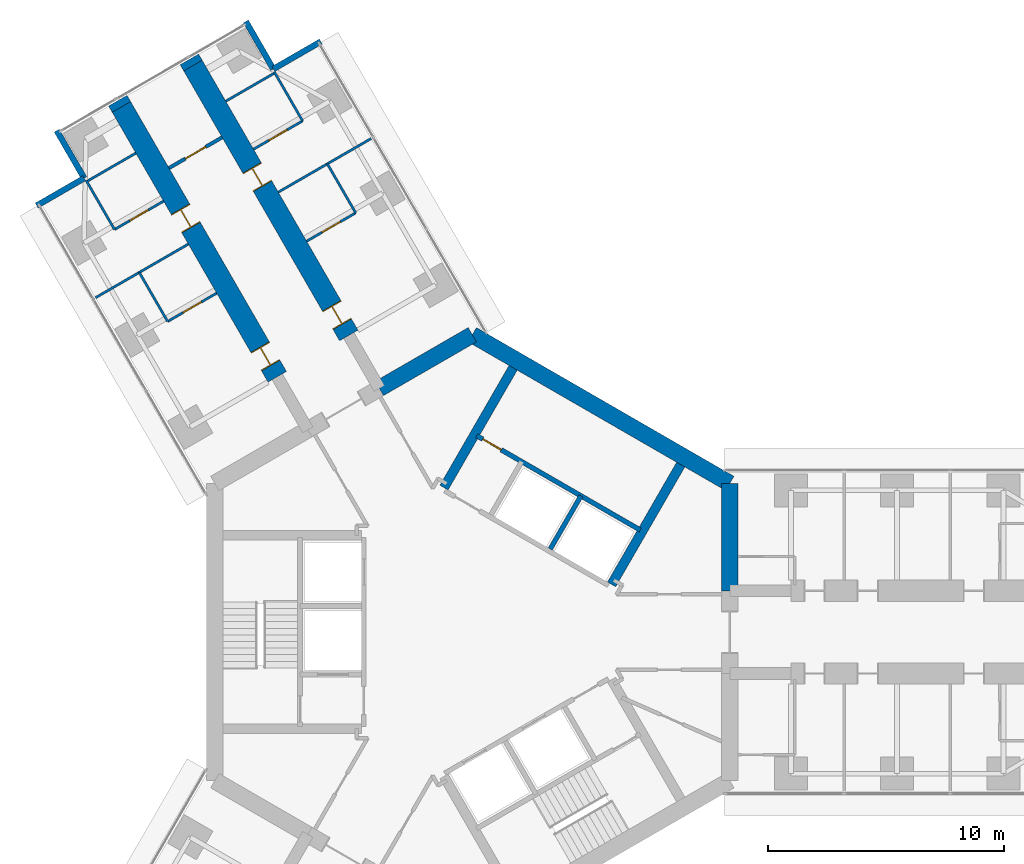
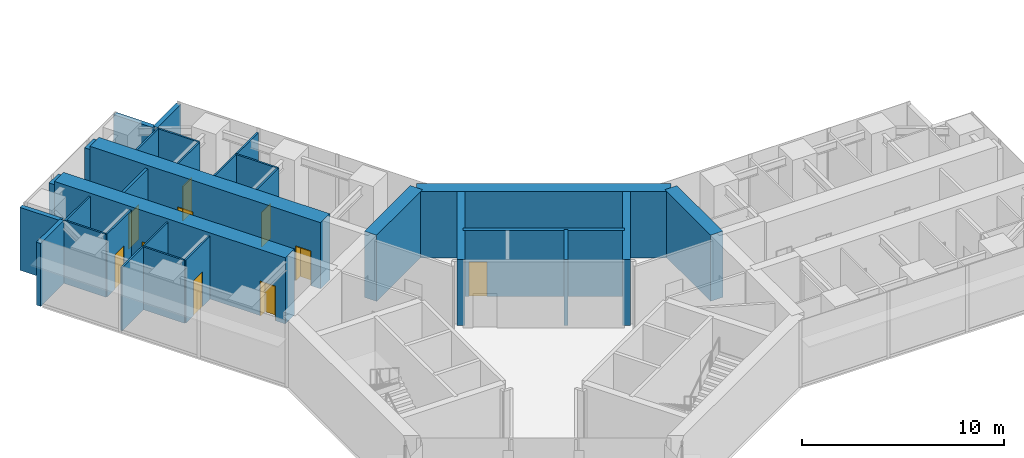
# One storey, part 19 of 25: 28 walls, 10 doors, 10 openings.
"""IFC4 building model written with IfcOpenShell, lengths in metres."""

from ifc_helpers import new_model, si_unit, direction, frame, frame_2d, origin, place, context, subcontext, project, spatial, rectangle, extrude, material, layer, layer_set, type_object, element, fill, save


model = new_model("IFC4")

# Units and contexts
model_context = context("Model", 3, precision=1e-05, world=origin(), true_north=direction((0.0, 1.0)))
body_context = subcontext(model_context, "Body", "Model", "MODEL_VIEW")
ifc_project = project(units=[si_unit("LENGTHUNIT", "METRE"), si_unit("AREAUNIT", "SQUARE_METRE"), si_unit("VOLUMEUNIT", "CUBIC_METRE"), si_unit("PLANEANGLEUNIT", "RADIAN"), si_unit("MASSUNIT", "GRAM", prefix="KILO")], contexts=[model_context])

# Site, building, storey
site_placement = place(None, origin())
site = spatial("IfcSite", under=ifc_project, at=site_placement, CompositionType="ELEMENT")
building_placement = place(site_placement, origin())
building = spatial("IfcBuilding", under=site, at=building_placement, Name="Upepo Twin Towers", CompositionType="ELEMENT")
storey_placement = place(building_placement, frame((0.0, 0.0, 72.5)))
storey = spatial("IfcBuildingStorey", under=building, at=storey_placement, Name="L17", CompositionType="ELEMENT", Elevation=72.5)

# Walls
ifc_material_1 = material(Name="Dense concrete blockwork", Category="masonry")
ifc_layer_1 = layer(ifc_material_1, 0.89990234375)
ifc_layer_set_1 = layer_set([ifc_layer_1], Name="Buttress closer 900, blockwork with fire-stopping to the curtain wall")
wall_type_1 = type_object("IfcWallType", Name="Buttress closer 900, blockwork with fire-stopping to the curtain wall", PredefinedType="PARTITIONING", material=ifc_layer_set_1)
for number, where, z_axis, x_axis, name in (
    (1, (-14.865478515625, 22.247802734375, 0.0), (0.0, 0.0, 1.0), (-0.499949632511, 0.866054481515, 0.0), "T1 L17 wing B buttress closer L"),
    (2, (-11.83447265625, 23.997802734375, 0.0), (0.0, 0.0, 1.0), (-0.499949632511, 0.866054481515, 0.0), "T1 L17 wing B buttress closer R"),
):
    element("IfcWall", number, at=place(storey_placement, frame(where, z_axis=z_axis, x_axis=x_axis)), inside=storey, type_object=wall_type_1, Name=name, PredefinedType="PARTITIONING", context=body_context, shape_type="SweptSolid", body=[
        extrude(rectangle(XDim=0.31005859375, YDim=0.89990234375, at=frame_2d((0.155029296875, 0.0))), origin(), (0.0, 0.0, 1.0), 3.800048828125),
    ])

# Wall, openings, doors
ifc_material_2 = material(Name="Concrete C60/75", Category="concrete")
ifc_layer_2 = layer(ifc_material_2, 0.89990234375)
ifc_layer_set_2 = layer_set([ifc_layer_2], Name="Concrete C60/75")
wall_type_2 = type_object("IfcWallType", Name="Buttress wall 900 RC", PredefinedType="SHEAR", material=ifc_layer_set_2)
wall_1_placement = place(storey_placement, frame((-8.265625, 10.81640625, 0.0), z_axis=(0.0, 0.0, 1.0), x_axis=(-0.499996231654, 0.866027579429, 0.0)))
wall_1 = element("IfcWall", 3, at=wall_1_placement, inside=storey, type_object=wall_type_2, Name="T1 wing B buttress wall L part 2", PredefinedType="SHEAR", context=body_context, shape_type="SweptSolid", body=[
    extrude(rectangle(XDim=13.19970703125, YDim=0.89990234375, at=frame_2d((6.599853515625, 0.0))), origin(), (0.0, 0.0, 1.0), 4.0),
])
opening_1_placement = place(wall_1_placement, frame((0.550048828125, 0.0, 0.0)))
opening_1 = element("IfcOpeningElement", 4, at=opening_1_placement, cuts=wall_1, Name="Opening D14", PredefinedType="OPENING", context=body_context, shape_type="SweptSolid", body=[
    extrude(rectangle(XDim=0.89990234375, YDim=2.10009765625, at=frame_2d((0.449951171875, 1.050048828125))), frame((0.0, 0.4599609375, 0.0), z_axis=(0.0, -1.0, 0.0), x_axis=(1.0, 0.0, 0.0)), (0.0, 0.0, 1.0), 0.919921875),
])
opening_2_placement = place(wall_1_placement, frame((7.300048828125, 0.0, 0.0)))
opening_2 = element("IfcOpeningElement", 5, at=opening_2_placement, cuts=wall_1, Name="Opening D14", PredefinedType="OPENING", context=body_context, shape_type="SweptSolid", body=[
    extrude(rectangle(XDim=0.89990234375, YDim=2.10009765625, at=frame_2d((0.449951171875, 1.050048828125))), frame((0.0, 0.4599609375, 0.0), z_axis=(0.0, -1.0, 0.0), x_axis=(1.0, 0.0, 0.0)), (0.0, 0.0, 1.0), 0.919921875),
])
ifc_material_3 = material(Name="Timber doorset", Category="wood")
door_type_1 = type_object("IfcDoorType", Name="Office door 900 FD30", OperationType="SINGLE_SWING_LEFT", PredefinedType="DOOR", material=ifc_material_3)
door_1_placement = place(opening_1_placement, origin())
door_1 = element("IfcDoor", 6, at=door_1_placement, inside=storey, type_object=door_type_1, Name="T1 L17 open-plan staff office door", OperationType="SINGLE_SWING_LEFT", OverallHeight=2.10009765625, OverallWidth=0.89990234375, PredefinedType="DOOR", context=body_context, shape_type="SweptSolid", body=[
    extrude(rectangle(XDim=0.81990234375, YDim=2.06009765625, at=frame_2d((0.449951171875, 1.030029296875))), frame((0.0, 0.02490234375, 0.0), z_axis=(0.0, -1.0, 0.0), x_axis=(1.0, 0.0, 0.0)), (0.0, 0.0, 1.0), 0.050048828125),
    extrude(rectangle(XDim=0.04, YDim=2.10009765625, at=frame_2d((0.02001953125, 1.050048828125))), frame((0.0, 0.44970703125, 0.0), z_axis=(0.0, -1.0, 0.0), x_axis=(1.0, 0.0, 0.0)), (0.0, 0.0, 1.0), 0.8994140625),
    extrude(rectangle(XDim=0.04, YDim=2.10009765625, at=frame_2d((0.8798828125, 1.050048828125))), frame((0.0, 0.44970703125, 0.0), z_axis=(0.0, -1.0, 0.0), x_axis=(1.0, 0.0, 0.0)), (0.0, 0.0, 1.0), 0.8994140625),
    extrude(rectangle(XDim=0.81990234375, YDim=0.04, at=frame_2d((0.449951171875, 2.080078125))), frame((0.0, 0.44970703125, 0.0), z_axis=(0.0, -1.0, 0.0), x_axis=(1.0, 0.0, 0.0)), (0.0, 0.0, 1.0), 0.8994140625),
])
fill(opening_1, door_1)
door_2_placement = place(opening_2_placement, origin())
door_2 = element("IfcDoor", 7, at=door_2_placement, inside=storey, type_object=door_type_1, Name="T1 L17 staff office door", OperationType="SINGLE_SWING_RIGHT", OverallHeight=2.10009765625, OverallWidth=0.89990234375, PredefinedType="DOOR", context=body_context, shape_type="SweptSolid", body=[
    extrude(rectangle(XDim=0.81990234375, YDim=2.06009765625, at=frame_2d((0.449951171875, 1.030029296875))), frame((0.0, 0.02490234375, 0.0), z_axis=(0.0, -1.0, 0.0), x_axis=(1.0, 0.0, 0.0)), (0.0, 0.0, 1.0), 0.050048828125),
    extrude(rectangle(XDim=0.04, YDim=2.10009765625, at=frame_2d((0.02001953125, 1.050048828125))), frame((0.0, 0.44970703125, 0.0), z_axis=(0.0, -1.0, 0.0), x_axis=(1.0, 0.0, 0.0)), (0.0, 0.0, 1.0), 0.8994140625),
    extrude(rectangle(XDim=0.04, YDim=2.10009765625, at=frame_2d((0.8798828125, 1.050048828125))), frame((0.0, 0.44970703125, 0.0), z_axis=(0.0, -1.0, 0.0), x_axis=(1.0, 0.0, 0.0)), (0.0, 0.0, 1.0), 0.8994140625),
    extrude(rectangle(XDim=0.81990234375, YDim=0.04, at=frame_2d((0.449951171875, 2.080078125))), frame((0.0, 0.44970703125, 0.0), z_axis=(0.0, -1.0, 0.0), x_axis=(1.0, 0.0, 0.0)), (0.0, 0.0, 1.0), 0.8994140625),
])
fill(opening_2, door_2)

wall_2_placement = place(storey_placement, frame((-5.234375, 12.56640625, 0.0), z_axis=(0.0, 0.0, 1.0), x_axis=(-0.500010103361, 0.866019570528, 0.0)))
wall_2 = element("IfcWall", 8, at=wall_2_placement, inside=storey, type_object=wall_type_2, Name="T1 wing B buttress wall R part 2", PredefinedType="SHEAR", context=body_context, shape_type="SweptSolid", body=[
    extrude(rectangle(XDim=13.199951171875, YDim=0.89990234375, at=frame_2d((6.60009765625, 0.0))), origin(), (0.0, 0.0, 1.0), 4.0),
])
opening_3_placement = place(wall_2_placement, frame((0.550048828125, 0.0, 0.0)))
opening_3 = element("IfcOpeningElement", 9, at=opening_3_placement, cuts=wall_2, Name="Opening D14", PredefinedType="OPENING", context=body_context, shape_type="SweptSolid", body=[
    extrude(rectangle(XDim=0.89990234375, YDim=2.10009765625, at=frame_2d((0.449951171875, 1.050048828125))), frame((0.0, 0.4599609375, 0.0), z_axis=(0.0, -1.0, 0.0), x_axis=(1.0, 0.0, 0.0)), (0.0, 0.0, 1.0), 0.919921875),
])
opening_4_placement = place(wall_2_placement, frame((7.300048828125, 0.0, 0.0)))
opening_4 = element("IfcOpeningElement", 10, at=opening_4_placement, cuts=wall_2, Name="Opening D14", PredefinedType="OPENING", context=body_context, shape_type="SweptSolid", body=[
    extrude(rectangle(XDim=0.89990234375, YDim=2.10009765625, at=frame_2d((0.449951171875, 1.050048828125))), frame((0.0, 0.4599609375, 0.0), z_axis=(0.0, -1.0, 0.0), x_axis=(1.0, 0.0, 0.0)), (0.0, 0.0, 1.0), 0.919921875),
])
door_3_placement = place(opening_3_placement, origin())
door_3 = element("IfcDoor", 11, at=door_3_placement, inside=storey, type_object=door_type_1, Name="T1 L17 open-plan staff office door", OperationType="SINGLE_SWING_LEFT", OverallHeight=2.10009765625, OverallWidth=0.89990234375, PredefinedType="DOOR", context=body_context, shape_type="SweptSolid", body=[
    extrude(rectangle(XDim=0.81990234375, YDim=2.06009765625, at=frame_2d((0.449951171875, 1.030029296875))), frame((0.0, 0.02490234375, 0.0), z_axis=(0.0, -1.0, 0.0), x_axis=(1.0, 0.0, 0.0)), (0.0, 0.0, 1.0), 0.050048828125),
    extrude(rectangle(XDim=0.04, YDim=2.10009765625, at=frame_2d((0.02001953125, 1.050048828125))), frame((0.0, 0.44970703125, 0.0), z_axis=(0.0, -1.0, 0.0), x_axis=(1.0, 0.0, 0.0)), (0.0, 0.0, 1.0), 0.8994140625),
    extrude(rectangle(XDim=0.04, YDim=2.10009765625, at=frame_2d((0.8798828125, 1.050048828125))), frame((0.0, 0.44970703125, 0.0), z_axis=(0.0, -1.0, 0.0), x_axis=(1.0, 0.0, 0.0)), (0.0, 0.0, 1.0), 0.8994140625),
    extrude(rectangle(XDim=0.81990234375, YDim=0.04, at=frame_2d((0.449951171875, 2.080078125))), frame((0.0, 0.44970703125, 0.0), z_axis=(0.0, -1.0, 0.0), x_axis=(1.0, 0.0, 0.0)), (0.0, 0.0, 1.0), 0.8994140625),
])
fill(opening_3, door_3)
door_4_placement = place(opening_4_placement, origin())
door_4 = element("IfcDoor", 12, at=door_4_placement, inside=storey, type_object=door_type_1, Name="T1 L17 postgraduate office door", OperationType="SINGLE_SWING_RIGHT", OverallHeight=2.10009765625, OverallWidth=0.89990234375, PredefinedType="DOOR", context=body_context, shape_type="SweptSolid", body=[
    extrude(rectangle(XDim=0.81990234375, YDim=2.06009765625, at=frame_2d((0.449951171875, 1.030029296875))), frame((0.0, 0.02490234375, 0.0), z_axis=(0.0, -1.0, 0.0), x_axis=(1.0, 0.0, 0.0)), (0.0, 0.0, 1.0), 0.050048828125),
    extrude(rectangle(XDim=0.04, YDim=2.10009765625, at=frame_2d((0.02001953125, 1.050048828125))), frame((0.0, 0.44970703125, 0.0), z_axis=(0.0, -1.0, 0.0), x_axis=(1.0, 0.0, 0.0)), (0.0, 0.0, 1.0), 0.8994140625),
    extrude(rectangle(XDim=0.04, YDim=2.10009765625, at=frame_2d((0.8798828125, 1.050048828125))), frame((0.0, 0.44970703125, 0.0), z_axis=(0.0, -1.0, 0.0), x_axis=(1.0, 0.0, 0.0)), (0.0, 0.0, 1.0), 0.8994140625),
    extrude(rectangle(XDim=0.81990234375, YDim=0.04, at=frame_2d((0.449951171875, 2.080078125))), frame((0.0, 0.44970703125, 0.0), z_axis=(0.0, -1.0, 0.0), x_axis=(1.0, 0.0, 0.0)), (0.0, 0.0, 1.0), 0.8994140625),
])
fill(opening_4, door_4)

# Walls
ifc_material_4 = material(Name="Concrete C60/75", Category="concrete")
ifc_layer_3 = layer(ifc_material_4, 0.699951171875)
ifc_layer_set_3 = layer_set([ifc_layer_3], Name="Concrete C60/75")
wall_type_3 = type_object("IfcWallType", Name="Core wall 700 RC", PredefinedType="SHEAR", material=ifc_layer_set_3)
wall_3_placement = place(storey_placement, frame((10.908447265625, 1.75, 0.0), z_axis=(0.0, 0.0, 1.0), x_axis=(0.0, 1.0, 0.0)))
element("IfcWall", 13, at=wall_3_placement, inside=storey, type_object=wall_type_3, Name="T1 core wall 000 L", PredefinedType="SHEAR", context=body_context, shape_type="SweptSolid", body=[
    extrude(rectangle(XDim=4.5478515625, YDim=0.699951171875, at=frame_2d((2.27392578125, 0.0))), origin(), (0.0, 0.0, 1.0), 4.0),
])
wall_4_placement = place(storey_placement, frame((10.908447265625, 6.2978515625, 0.0), z_axis=(0.0, 0.0, 1.0), x_axis=(-0.866021940709, 0.500005998175, 0.0)))
element("IfcWall", 14, at=wall_4_placement, inside=storey, type_object=wall_type_3, Name="T1 core wall 060", PredefinedType="SHEAR", context=body_context, shape_type="SweptSolid", body=[
    extrude(rectangle(XDim=12.595947265625, YDim=0.699951171875, at=frame_2d((6.2978515625, 0.0))), origin(), (0.0, 0.0, 1.0), 4.0),
])
wall_5_placement = place(storey_placement, frame((0.0, 12.595947265625, 0.0), z_axis=(0.0, 0.0, 1.0), x_axis=(-0.866011268655, -0.500024481964, 0.0)))
element("IfcWall", 15, at=wall_5_placement, inside=storey, type_object=wall_type_3, Name="T1 core wall 120 R", PredefinedType="SHEAR", context=body_context, shape_type="SweptSolid", body=[
    extrude(rectangle(XDim=4.548095703125, YDim=0.699951171875, at=frame_2d((2.27392578125, 0.0))), origin(), (0.0, 0.0, 1.0), 4.0),
])
ifc_material_5 = material(Name="Blockwork with anodised aluminium cladding", Category="masonry")
ifc_layer_4 = layer(ifc_material_5, 0.25)
ifc_layer_set_4 = layer_set([ifc_layer_4], Name="Notch cladding wall 250, pale metal")
wall_type_4 = type_object("IfcWallType", Name="Notch cladding wall 250, pale metal", PredefinedType="STANDARD", material=ifc_layer_set_4)
for number, where, z_axis, x_axis, name in (
    (16, (-18.456298828125, 18.0673828125, 0.0), (0.0, 0.0, 1.0), (0.865998469481, 0.500046648681, 0.0), "T1 L17 wing B notch wall L1"),
    (17, (-16.44287109375, 19.22998046875, 0.0), (0.0, 0.0, 1.0), (-0.500046648681, 0.865998469481, 0.0), "T1 L17 wing B notch wall L2"),
    (18, (-6.418701171875, 25.017333984375, 0.0), (0.0, 0.0, 1.0), (-0.866043940782, -0.499967891604, 0.0), "T1 L17 wing B notch wall R1"),
    (19, (-8.43212890625, 23.85498046875, 0.0), (0.0, 0.0, 1.0), (-0.500046648681, 0.865998469481, 0.0), "T1 L17 wing B notch wall R2"),
):
    element("IfcWall", number, at=place(storey_placement, frame(where, z_axis=z_axis, x_axis=x_axis)), inside=storey, type_object=wall_type_4, Name=name, PredefinedType="STANDARD", context=body_context, shape_type="SweptSolid", body=[
        extrude(rectangle(XDim=2.324951171875, YDim=0.25, at=frame_2d((1.16259765625, 0.0))), origin(), (0.0, 0.0, 1.0), 3.800048828125),
    ])
ifc_material_6 = material(Name="Gypsum board on steel studs", Category="steel")
ifc_layer_5 = layer(ifc_material_6, 0.10009765625)
ifc_layer_set_5 = layer_set([ifc_layer_5], Name="Office partition 100 stud")
wall_type_5 = type_object("IfcWallType", Name="Office partition 100 stud", PredefinedType="PARTITIONING", material=ifc_layer_set_5)
wall_6_placement = place(storey_placement, frame((-12.0302734375, 16.43701171875, 0.0), z_axis=(0.0, 0.0, 1.0), x_axis=(-0.866035472144, -0.499982560684, 0.0)))
element("IfcWall", 20, at=wall_6_placement, inside=storey, type_object=wall_type_5, Name="T1 partition BL at 20.25", PredefinedType="PARTITIONING", context=body_context, shape_type="SweptSolid", body=[
    extrude(rectangle(XDim=4.550048828125, YDim=0.10009765625, at=frame_2d((2.27490234375, 0.0))), origin(), (0.0, 0.0, 1.0), 3.800048828125),
])
wall_7_placement = place(storey_placement, frame((-12.90869140625, 13.158447265625, 0.0), z_axis=(0.0, 0.0, 1.0), x_axis=(-0.499957262057, 0.866050077142, 0.0)))
element("IfcWall", 21, at=wall_7_placement, inside=storey, type_object=wall_type_5, Name="T1 inner room partition BL at 17.85", PredefinedType="PARTITIONING", context=body_context, shape_type="SweptSolid", body=[
    extrude(rectangle(XDim=2.400146484375, YDim=0.10009765625, at=frame_2d((1.2001953125, 0.0))), origin(), (0.0, 0.0, 1.0), 3.800048828125),
])

# Wall, opening, door
wall_8_placement = place(storey_placement, frame((-10.830322265625, 14.358642578125, 0.0), z_axis=(0.0, 0.0, 1.0), x_axis=(-0.865980596518, -0.500077600433, 0.0)))
wall_8 = element("IfcWall", 22, at=wall_8_placement, inside=storey, type_object=wall_type_5, Name="T1 inner room partition BL end at 17.85", PredefinedType="PARTITIONING", context=body_context, shape_type="SweptSolid", body=[
    extrude(rectangle(XDim=2.39990234375, YDim=0.10009765625, at=frame_2d((1.199951171875, 0.0))), origin(), (0.0, 0.0, 1.0), 3.800048828125),
])
opening_5_placement = place(wall_8_placement, frame((0.75, 0.0, 0.0)))
opening_5 = element("IfcOpeningElement", 23, at=opening_5_placement, cuts=wall_8, Name="Opening D14", PredefinedType="OPENING", context=body_context, shape_type="SweptSolid", body=[
    extrude(rectangle(XDim=0.89990234375, YDim=2.10009765625, at=frame_2d((0.449951171875, 1.050048828125))), frame((0.0, 0.06005859375, 0.0), z_axis=(0.0, -1.0, 0.0), x_axis=(1.0, 0.0, 0.0)), (0.0, 0.0, 1.0), 0.1201171875),
])
door_5_placement = place(opening_5_placement, origin())
door_5 = element("IfcDoor", 24, at=door_5_placement, inside=storey, type_object=door_type_1, Name="T1 L17 inner room door", OperationType="SINGLE_SWING_LEFT", OverallHeight=2.10009765625, OverallWidth=0.89990234375, PredefinedType="DOOR", context=body_context, shape_type="SweptSolid", body=[
    extrude(rectangle(XDim=0.89990234375, YDim=2.10009765625, at=frame_2d((0.449951171875, 1.050048828125))), frame((0.0, 0.02490234375, 0.0), z_axis=(0.0, -1.0, 0.0), x_axis=(1.0, 0.0, 0.0)), (0.0, 0.0, 1.0), 0.050048828125),
])
fill(opening_5, door_5)

# Wall
wall_9_placement = place(storey_placement, frame((-15.15869140625, 17.0556640625, 0.0), z_axis=(0.0, 0.0, 1.0), x_axis=(-0.500001309137, 0.866024647952, 0.0)))
element("IfcWall", 25, at=wall_9_placement, inside=storey, type_object=wall_type_5, Name="T1 inner room partition BL at 22.35", PredefinedType="PARTITIONING", context=body_context, shape_type="SweptSolid", body=[
    extrude(rectangle(XDim=2.39990234375, YDim=0.10009765625, at=frame_2d((1.199951171875, 0.0))), origin(), (0.0, 0.0, 1.0), 3.800048828125),
])

# Wall, opening, door
wall_10_placement = place(storey_placement, frame((-13.080322265625, 18.255615234375, 0.0), z_axis=(0.0, 0.0, 1.0), x_axis=(-0.866024647952, -0.500001309137, 0.0)))
wall_10 = element("IfcWall", 26, at=wall_10_placement, inside=storey, type_object=wall_type_5, Name="T1 inner room partition BL end at 22.35", PredefinedType="PARTITIONING", context=body_context, shape_type="SweptSolid", body=[
    extrude(rectangle(XDim=2.39990234375, YDim=0.10009765625, at=frame_2d((1.199951171875, 0.0))), origin(), (0.0, 0.0, 1.0), 3.800048828125),
])
opening_6_placement = place(wall_10_placement, frame((0.75, 0.0, 0.0)))
opening_6 = element("IfcOpeningElement", 27, at=opening_6_placement, cuts=wall_10, Name="Opening D14", PredefinedType="OPENING", context=body_context, shape_type="SweptSolid", body=[
    extrude(rectangle(XDim=0.89990234375, YDim=2.10009765625, at=frame_2d((0.449951171875, 1.050048828125))), frame((0.0, 0.06005859375, 0.0), z_axis=(0.0, -1.0, 0.0), x_axis=(1.0, 0.0, 0.0)), (0.0, 0.0, 1.0), 0.1201171875),
])
door_6_placement = place(opening_6_placement, origin())
door_6 = element("IfcDoor", 28, at=door_6_placement, inside=storey, type_object=door_type_1, Name="T1 L17 inner room door", OperationType="SINGLE_SWING_LEFT", OverallHeight=2.10009765625, OverallWidth=0.89990234375, PredefinedType="DOOR", context=body_context, shape_type="SweptSolid", body=[
    extrude(rectangle(XDim=0.89990234375, YDim=2.10009765625, at=frame_2d((0.449951171875, 1.050048828125))), frame((0.0, 0.02490234375, 0.0), z_axis=(0.0, -1.0, 0.0), x_axis=(1.0, 0.0, 0.0)), (0.0, 0.0, 1.0), 0.050048828125),
])
fill(opening_6, door_6)

# Walls
wall_11_placement = place(storey_placement, frame((-14.25537109375, 20.290771484375, 0.0), z_axis=(0.0, 0.0, 1.0), x_axis=(-0.866024647952, -0.500001309137, 0.0)))
element("IfcWall", 29, at=wall_11_placement, inside=storey, type_object=wall_type_5, Name="T1 inner room partition BL end at 24.75", PredefinedType="PARTITIONING", context=body_context, shape_type="SweptSolid", body=[
    extrude(rectangle(XDim=2.39990234375, YDim=0.10009765625, at=frame_2d((1.199951171875, 0.0))), origin(), (0.0, 0.0, 1.0), 3.800048828125),
])
wall_12_placement = place(storey_placement, frame((-8.2197265625, 18.636962890625, 0.0), z_axis=(0.0, 0.0, 1.0), x_axis=(0.866012237902, 0.500022803284, 0.0)))
element("IfcWall", 30, at=wall_12_placement, inside=storey, type_object=wall_type_5, Name="T1 partition BR at 20.25", PredefinedType="PARTITIONING", context=body_context, shape_type="SweptSolid", body=[
    extrude(rectangle(XDim=4.550048828125, YDim=0.10009765625, at=frame_2d((2.27490234375, 0.0))), origin(), (0.0, 0.0, 1.0), 3.800048828125),
])
wall_13_placement = place(storey_placement, frame((-4.941162109375, 17.758544921875, 0.0), z_axis=(0.0, 0.0, 1.0), x_axis=(-0.500077600433, 0.865980596518, 0.0)))
element("IfcWall", 31, at=wall_13_placement, inside=storey, type_object=wall_type_5, Name="T1 inner room partition BR at 17.85", PredefinedType="PARTITIONING", context=body_context, shape_type="SweptSolid", body=[
    extrude(rectangle(XDim=2.39990234375, YDim=0.10009765625, at=frame_2d((1.199951171875, 0.0))), origin(), (0.0, 0.0, 1.0), 3.800048828125),
])

# Wall, opening, door
wall_14_placement = place(storey_placement, frame((-7.019775390625, 16.55859375, 0.0), z_axis=(0.0, 0.0, 1.0), x_axis=(0.866050077142, 0.499957262057, 0.0)))
wall_14 = element("IfcWall", 32, at=wall_14_placement, inside=storey, type_object=wall_type_5, Name="T1 inner room partition BR end at 17.85", PredefinedType="PARTITIONING", context=body_context, shape_type="SweptSolid", body=[
    extrude(rectangle(XDim=2.400146484375, YDim=0.10009765625, at=frame_2d((1.2001953125, 0.0))), origin(), (0.0, 0.0, 1.0), 3.800048828125),
])
opening_7_placement = place(wall_14_placement, frame((0.75, 0.0, 0.0)))
opening_7 = element("IfcOpeningElement", 33, at=opening_7_placement, cuts=wall_14, Name="Opening D14", PredefinedType="OPENING", context=body_context, shape_type="SweptSolid", body=[
    extrude(rectangle(XDim=0.89990234375, YDim=2.10009765625, at=frame_2d((0.449951171875, 1.050048828125))), frame((0.0, 0.06005859375, 0.0), z_axis=(0.0, -1.0, 0.0), x_axis=(1.0, 0.0, 0.0)), (0.0, 0.0, 1.0), 0.1201171875),
])
door_7_placement = place(opening_7_placement, origin())
door_7 = element("IfcDoor", 34, at=door_7_placement, inside=storey, type_object=door_type_1, Name="T1 L17 inner room door", OperationType="SINGLE_SWING_LEFT", OverallHeight=2.10009765625, OverallWidth=0.89990234375, PredefinedType="DOOR", context=body_context, shape_type="SweptSolid", body=[
    extrude(rectangle(XDim=0.89990234375, YDim=2.10009765625, at=frame_2d((0.449951171875, 1.050048828125))), frame((0.0, 0.02490234375, 0.0), z_axis=(0.0, -1.0, 0.0), x_axis=(1.0, 0.0, 0.0)), (0.0, 0.0, 1.0), 0.050048828125),
])
fill(opening_7, door_7)

# Wall
wall_15_placement = place(storey_placement, frame((-7.191162109375, 21.65576171875, 0.0), z_axis=(0.0, 0.0, 1.0), x_axis=(-0.500077600433, 0.865980596518, 0.0)))
element("IfcWall", 35, at=wall_15_placement, inside=storey, type_object=wall_type_5, Name="T1 inner room partition BR at 22.35", PredefinedType="PARTITIONING", context=body_context, shape_type="SweptSolid", body=[
    extrude(rectangle(XDim=2.39990234375, YDim=0.10009765625, at=frame_2d((1.199951171875, 0.0))), origin(), (0.0, 0.0, 1.0), 3.800048828125),
])

# Wall, opening, door
wall_16_placement = place(storey_placement, frame((-9.269775390625, 20.45556640625, 0.0), z_axis=(0.0, 0.0, 1.0), x_axis=(0.866006032174, 0.500033551112, 0.0)))
wall_16 = element("IfcWall", 36, at=wall_16_placement, inside=storey, type_object=wall_type_5, Name="T1 inner room partition BR end at 22.35", PredefinedType="PARTITIONING", context=body_context, shape_type="SweptSolid", body=[
    extrude(rectangle(XDim=2.400146484375, YDim=0.10009765625, at=frame_2d((1.2001953125, 0.0))), origin(), (0.0, 0.0, 1.0), 3.800048828125),
])
opening_8_placement = place(wall_16_placement, frame((0.75, 0.0, 0.0)))
opening_8 = element("IfcOpeningElement", 37, at=opening_8_placement, cuts=wall_16, Name="Opening D14", PredefinedType="OPENING", context=body_context, shape_type="SweptSolid", body=[
    extrude(rectangle(XDim=0.89990234375, YDim=2.10009765625, at=frame_2d((0.449951171875, 1.050048828125))), frame((0.0, 0.06005859375, 0.0), z_axis=(0.0, -1.0, 0.0), x_axis=(1.0, 0.0, 0.0)), (0.0, 0.0, 1.0), 0.1201171875),
])
door_8_placement = place(opening_8_placement, origin())
door_8 = element("IfcDoor", 38, at=door_8_placement, inside=storey, type_object=door_type_1, Name="T1 L17 inner room door", OperationType="SINGLE_SWING_LEFT", OverallHeight=2.10009765625, OverallWidth=0.89990234375, PredefinedType="DOOR", context=body_context, shape_type="SweptSolid", body=[
    extrude(rectangle(XDim=0.89990234375, YDim=2.10009765625, at=frame_2d((0.449951171875, 1.050048828125))), frame((0.0, 0.02490234375, 0.0), z_axis=(0.0, -1.0, 0.0), x_axis=(1.0, 0.0, 0.0)), (0.0, 0.0, 1.0), 0.050048828125),
])
fill(opening_8, door_8)

# Walls
wall_17_placement = place(storey_placement, frame((-10.44482421875, 22.49072265625, 0.0), z_axis=(0.0, 0.0, 1.0), x_axis=(0.866006032174, 0.500033551112, 0.0)))
element("IfcWall", 39, at=wall_17_placement, inside=storey, type_object=wall_type_5, Name="T1 inner room partition BR end at 24.75", PredefinedType="PARTITIONING", context=body_context, shape_type="SweptSolid", body=[
    extrude(rectangle(XDim=2.400146484375, YDim=0.10009765625, at=frame_2d((1.2001953125, 0.0))), origin(), (0.0, 0.0, 1.0), 3.800048828125),
])
ifc_material_7 = material(Name="Concrete C40/50", Category="concrete")
ifc_layer_6 = layer(ifc_material_7, 0.199951171875)
ifc_layer_set_6 = layer_set([ifc_layer_6], Name="Concrete C40/50")
wall_type_6 = type_object("IfcWallType", Name="Shaft wall 200 RC", PredefinedType="SHEAR", material=ifc_layer_set_6)
wall_18_placement = place(storey_placement, frame((3.302734375, 3.520263671875, 0.0), z_axis=(0.0, 0.0, 1.0), x_axis=(0.499936506574, 0.866062058628, 0.0)))
element("IfcWall", 40, at=wall_18_placement, inside=storey, type_object=wall_type_6, Name="T1 core W60 shaft divider", PredefinedType="SHEAR", context=body_context, shape_type="SweptSolid", body=[
    extrude(rectangle(XDim=2.599853515625, YDim=0.199951171875, at=frame_2d((1.2998046875, 0.0))), origin(), (0.0, 0.0, 1.0), 4.0),
])

# Wall, opening, door
wall_19_placement = place(storey_placement, frame((7.114013671875, 4.322021484375, 0.0), z_axis=(0.0, 0.0, 1.0), x_axis=(-0.866026010844, 0.49999894854, 0.0)))
wall_19 = element("IfcWall", 41, at=wall_19_placement, inside=storey, type_object=wall_type_6, Name="T1 core W60 stair wall", PredefinedType="SHEAR", context=body_context, shape_type="SweptSolid", body=[
    extrude(rectangle(XDim=8.0, YDim=0.199951171875, at=frame_2d((4.0, 0.0))), origin(), (0.0, 0.0, 1.0), 4.0),
])
opening_9_placement = place(wall_19_placement, frame((6.800048828125, 0.0, 0.0)))
opening_9 = element("IfcOpeningElement", 42, at=opening_9_placement, cuts=wall_19, Name="Opening D9", PredefinedType="OPENING", context=body_context, shape_type="SweptSolid", body=[
    extrude(rectangle(XDim=0.89990234375, YDim=2.10009765625, at=frame_2d((0.449951171875, 1.050048828125))), frame((0.0, 0.10986328125, 0.0), z_axis=(0.0, -1.0, 0.0), x_axis=(1.0, 0.0, 0.0)), (0.0, 0.0, 1.0), 0.219970703125),
])
ifc_material_8 = material(Name="Timber doorset", Category="wood")
door_type_2 = type_object("IfcDoorType", Name="Riser door 900 FD60", OperationType="SINGLE_SWING_LEFT", PredefinedType="DOOR", material=ifc_material_8)
door_9_placement = place(opening_9_placement, origin())
door_9 = element("IfcDoor", 43, at=door_9_placement, inside=storey, type_object=door_type_2, Name="T1 L17 riser door", OperationType="SINGLE_SWING_RIGHT", OverallHeight=2.10009765625, OverallWidth=0.89990234375, PredefinedType="DOOR", context=body_context, shape_type="SweptSolid", body=[
    extrude(rectangle(XDim=0.89990234375, YDim=2.10009765625, at=frame_2d((0.449951171875, 1.050048828125))), frame((0.0, 0.02490234375, 0.0), z_axis=(0.0, -1.0, 0.0), x_axis=(1.0, 0.0, 0.0)), (0.0, 0.0, 1.0), 0.050048828125),
])
fill(opening_9, door_9)

# Walls
ifc_material_9 = material(Name="Concrete C40/50", Category="concrete")
ifc_layer_7 = layer(ifc_material_9, 0.39990234375)
ifc_layer_set_7 = layer_set([ifc_layer_7], Name="Concrete C40/50")
wall_type_7 = type_object("IfcWallType", Name="Shaft wall 400 RC", PredefinedType="SHEAR", material=ifc_layer_set_7)
for number, where, z_axis, x_axis, name in (
    (44, (-1.20068359375, 6.120361328125, 0.0), (0.0, 0.0, 1.0), (0.500002627198, 0.866023886965, 0.0), "T1 core W60 side wall N"),
    (45, (5.900634765625, 2.020263671875, 0.0), (0.0, 0.0, 1.0), (0.500002627198, 0.866023886965, 0.0), "T1 core W60 side wall S"),
):
    element("IfcWall", number, at=place(storey_placement, frame(where, z_axis=z_axis, x_axis=x_axis)), inside=storey, type_object=wall_type_7, Name=name, PredefinedType="SHEAR", context=body_context, shape_type="SweptSolid", body=[
        extrude(rectangle(XDim=5.8583984375, YDim=0.39990234375, at=frame_2d((2.92919921875, 0.0))), origin(), (0.0, 0.0, 1.0), 4.0),
    ])

# Wall, opening, door
ifc_material_10 = material(Name="Gypsum board on steel studs", Category="steel")
ifc_layer_8 = layer(ifc_material_10, 0.14990234375)
ifc_layer_set_8 = layer_set([ifc_layer_8], Name="Teaching partition 150 acoustic")
wall_type_8 = type_object("IfcWallType", Name="Teaching partition 150 acoustic", PredefinedType="PARTITIONING", material=ifc_layer_set_8)
wall_20_placement = place(storey_placement, frame((-10.59912109375, 20.958251953125, 0.0), z_axis=(0.0, 0.0, 1.0), x_axis=(-0.866021400173, -0.500006934395, 0.0)))
wall_20 = element("IfcWall", 46, at=wall_20_placement, inside=storey, type_object=wall_type_8, Name="T1 corridor end partition B at 23.45", PredefinedType="PARTITIONING", context=body_context, shape_type="SweptSolid", body=[
    extrude(rectangle(XDim=2.60009765625, YDim=0.14990234375, at=frame_2d((1.300048828125, 0.0))), origin(), (0.0, 0.0, 1.0), 3.800048828125),
])
opening_10_placement = place(wall_20_placement, frame((0.800048828125, 0.0, 0.0)))
opening_10 = element("IfcOpeningElement", 47, at=opening_10_placement, cuts=wall_20, Name="Opening D1", PredefinedType="OPENING", context=body_context, shape_type="SweptSolid", body=[
    extrude(rectangle(XDim=1.0, YDim=2.10009765625, at=frame_2d((0.5, 1.050048828125))), frame((0.0, 0.0849609375, 0.0), z_axis=(0.0, -1.0, 0.0), x_axis=(1.0, 0.0, 0.0)), (0.0, 0.0, 1.0), 0.169921875),
])
ifc_material_11 = material(Name="Timber doorset", Category="wood")
door_type_3 = type_object("IfcDoorType", Name="Room door 1000 FD30", OperationType="SINGLE_SWING_LEFT", PredefinedType="DOOR", material=ifc_material_11)
door_10_placement = place(opening_10_placement, origin())
door_10 = element("IfcDoor", 48, at=door_10_placement, inside=storey, type_object=door_type_3, Name="T1 L17 breakout study room door", OperationType="SINGLE_SWING_RIGHT", OverallHeight=2.10009765625, OverallWidth=1.0, PredefinedType="DOOR", context=body_context, shape_type="SweptSolid", body=[
    extrude(rectangle(XDim=1.0, YDim=2.10009765625, at=frame_2d((0.5, 1.050048828125))), frame((0.0, 0.02490234375, 0.0), z_axis=(0.0, -1.0, 0.0), x_axis=(1.0, 0.0, 0.0)), (0.0, 0.0, 1.0), 0.050048828125),
])
fill(opening_10, door_10)

save(model, "model.ifc")
